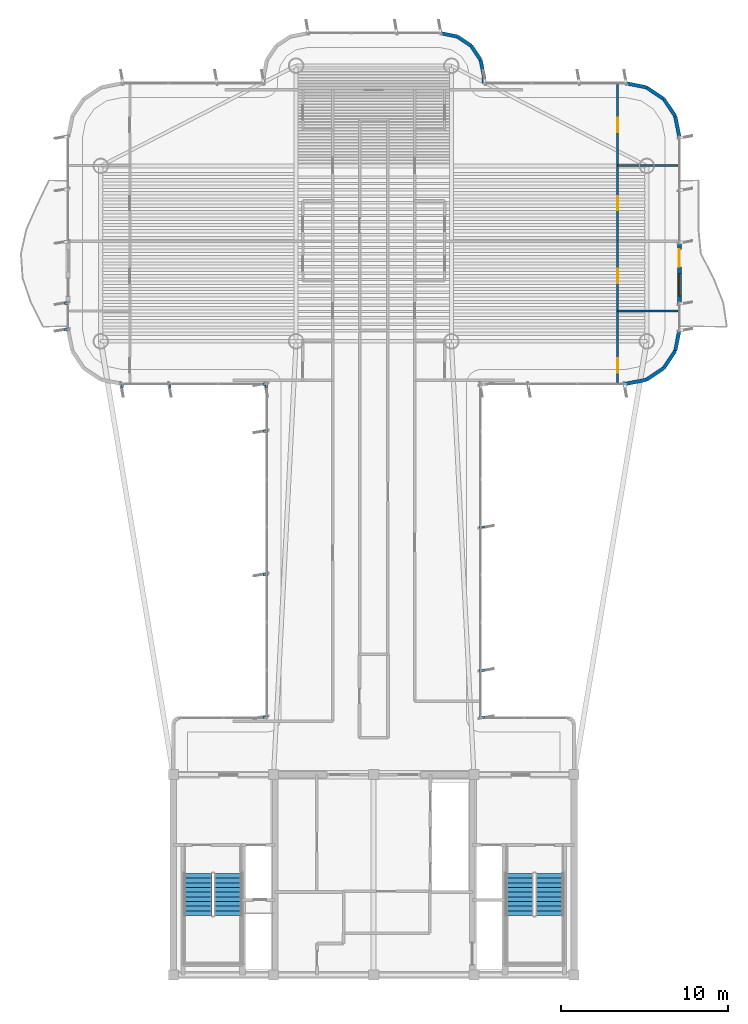
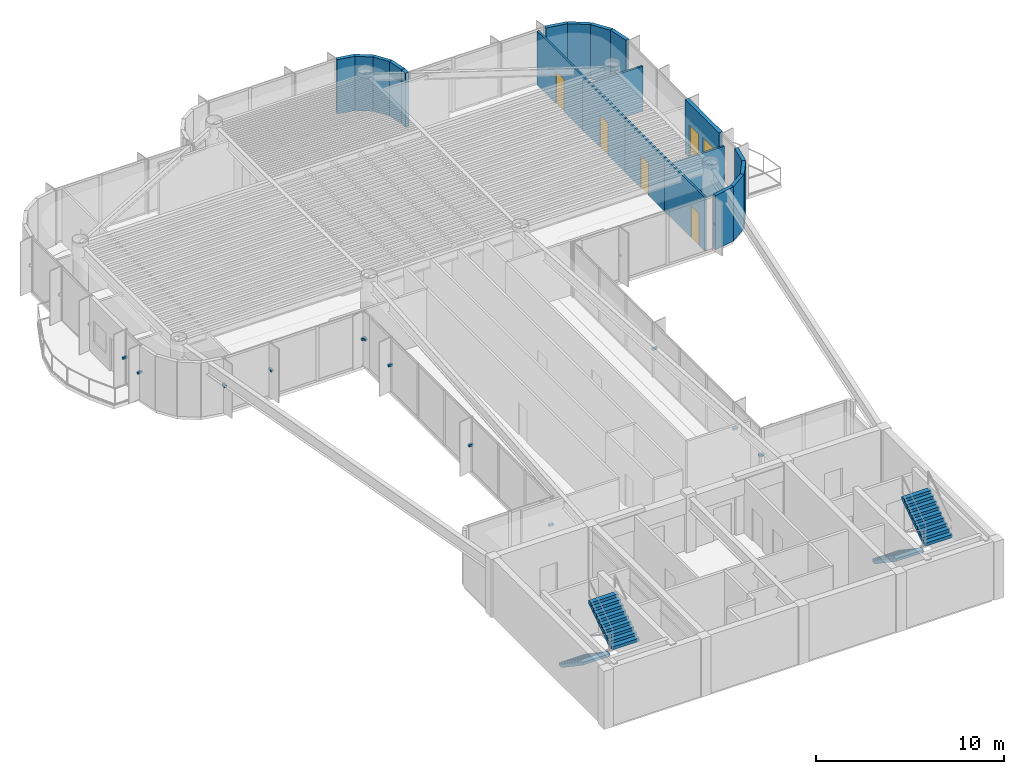
# One storey, part 13 of 16: 20 walls, 12 discrete accessories, 5 doors, 4 stair flights, 1 window, 6 openings, 2 elements without a shape of their own.
"""IFC4 building model written with IfcOpenShell, lengths in metres."""

from ifc_helpers import new_model, si_unit, direction, frame, frame_2d, origin, origin_2d, place, context, subcontext, project, spatial, polyline, rectangle, outline, extrude, source, transform, mapped, material, layer, layer_set, type_object, element, fill, aggregate, save


model = new_model("IFC4")

# Units and contexts
model_context = context("Model", 3, precision=1e-05, world=origin(), true_north=direction((0.0, 1.0)))
body_context = subcontext(model_context, "Body", "Model", "MODEL_VIEW")
ifc_project = project(units=[si_unit("LENGTHUNIT", "METRE"), si_unit("AREAUNIT", "SQUARE_METRE"), si_unit("VOLUMEUNIT", "CUBIC_METRE"), si_unit("PLANEANGLEUNIT", "RADIAN"), si_unit("MASSUNIT", "GRAM", prefix="KILO")], contexts=[model_context])

# Site, building, storey
site_placement = place(None, origin())
site = spatial("IfcSite", under=ifc_project, at=site_placement, CompositionType="ELEMENT")
building_placement = place(site_placement, origin())
building = spatial("IfcBuilding", under=site, at=building_placement, Name="Brelvock Crest Care Tower", CompositionType="ELEMENT")
storey_placement = place(building_placement, frame((0.0, 0.0, 226.800048828125)))
storey = spatial("IfcBuildingStorey", under=building, at=storey_placement, Name="L57", CompositionType="ELEMENT", Elevation=226.800048828125)

# Wall, openings, door, window
ifc_material_1 = material(Name="Precast concrete N40 (40 MPa)", Category="concrete")
ifc_layer_1 = layer(ifc_material_1, 0.239990234375, Name="WL-EX1")
ifc_layer_set_1 = layer_set([ifc_layer_1], Name="Precast concrete N40 (40 MPa)")
wall_type_1 = type_object("IfcWallType", Name="WL-EX1", PredefinedType="SOLIDWALL", material=ifc_layer_set_1)
wall_1_placement = place(storey_placement, frame((54.300048828125, 49.85009765625, 0.0), z_axis=(0.0, 0.0, 1.0), x_axis=(0.0, -1.0, 0.0)))
wall_1 = element("IfcWall", 1, at=wall_1_placement, inside=storey, type_object=wall_type_1, Name="L57 Exterior Spandrel Wall WL-BAL-L57-E", PredefinedType="SOLIDWALL", context=body_context, shape_type="SweptSolid", body=[
    extrude(rectangle(XDim=3.60009765625, YDim=0.239990234375, at=frame_2d((1.800048828125, 0.0))), origin(), (0.0, 0.0, 1.0), 3.530029296875),
])
opening_1_placement = place(wall_1_placement, frame((0.39990234375, 0.0, 0.0)))
opening_1 = element("IfcOpeningElement", 2, at=opening_1_placement, cuts=wall_1, Name="Opening BD-1", PredefinedType="OPENING", context=body_context, shape_type="SweptSolid", body=[
    extrude(rectangle(XDim=1.050048828125, YDim=2.14990234375, at=origin_2d()), frame((0.52490234375, 0.1298828125, 1.074951171875), z_axis=(0.0, -1.0, 0.0), x_axis=(1.0, 0.0, 0.0)), (0.0, 0.0, 1.0), 0.260009765625),
])
opening_2_placement = place(wall_1_placement, frame((1.85009765625, 0.0, 0.85009765625)))
opening_2 = element("IfcOpeningElement", 3, at=opening_2_placement, cuts=wall_1, Name="Opening W-01", PredefinedType="OPENING", context=body_context, shape_type="SweptSolid", body=[
    extrude(rectangle(XDim=1.35009765625, YDim=1.35009765625, at=origin_2d()), frame((0.675048828125, 0.1298828125, 0.675048828125), z_axis=(0.0, -1.0, 0.0), x_axis=(1.0, 0.0, 0.0)), (0.0, 0.0, 1.0), 0.260009765625),
])
ifc_material_2 = material(Name="Dark Glass Double Glazed Low-E", Category="glass")
door_type_1 = type_object("IfcDoorType", Name="DR-BAL1", OperationType="NOTDEFINED", PredefinedType="DOOR", material=ifc_material_2)
shared_shape_1 = source(origin(), body_context, "Body", "SweptSolid", [
    extrude(rectangle(XDim=1.050048828125, YDim=2.14990234375, at=origin_2d()), frame((0.52490234375, 0.02490234375, 1.074951171875), z_axis=(0.0, -1.0, 0.0), x_axis=(1.0, 0.0, 0.0)), (0.0, 0.0, 1.0), 0.050048828125),
])
door_1_placement = place(opening_1_placement, origin())
door_1 = element("IfcDoor", 4, at=door_1_placement, inside=storey, type_object=door_type_1, Name="L57 E Wave Balcony Glazed Door", OperationType="SINGLE_SWING_RIGHT", OverallHeight=2.14990234375, OverallWidth=1.050048828125, PredefinedType="DOOR", context=body_context, shape_type="MappedRepresentation", body=[
    mapped(shared_shape_1, transform((0.0, 0.0, 0.0), x_axis=(1.0, 0.0, 0.0), y_axis=(0.0, 1.0, 0.0), z_axis=(0.0, 0.0, 1.0), scale=1.0)),
])
fill(opening_1, door_1)
window_type = type_object("IfcWindowType", Name="WN-EX1", PartitioningType="SINGLE_PANEL", PredefinedType="WINDOW", material=ifc_material_2)
shared_shape_2 = source(origin(), body_context, "Body", "SweptSolid", [
    extrude(rectangle(XDim=1.35009765625, YDim=1.35009765625, at=origin_2d()), frame((0.675048828125, 0.030029296875, 0.675048828125), z_axis=(0.0, -1.0, 0.0), x_axis=(1.0, 0.0, 0.0)), (0.0, 0.0, 1.0), 0.06005859375),
])
window_placement = place(opening_2_placement, origin())
window = element("IfcWindow", 5, at=window_placement, inside=storey, type_object=window_type, Name="L57 E Suite Casement Window", OverallHeight=1.35009765625, OverallWidth=1.35009765625, PartitioningType="SINGLE_PANEL", PredefinedType="WINDOW", context=body_context, shape_type="MappedRepresentation", body=[
    mapped(shared_shape_2, transform((0.0, 0.0, 0.0), x_axis=(1.0, 0.0, 0.0), y_axis=(0.0, 1.0, 0.0), z_axis=(0.0, 0.0, 1.0), scale=1.0)),
])
fill(opening_2, window)

# Walls
ifc_layer_2 = layer(ifc_material_1, 0.215087890625, Name="WL-EX2")
ifc_layer_set_2 = layer_set([ifc_layer_2], Name="Precast concrete N40 (40 MPa)")
wall_type_2 = type_object("IfcWallType", Name="WL-EX2", PredefinedType="SOLIDWALL", material=ifc_layer_set_2)
wall_2_placement = place(storey_placement, frame((40.0, 62.39990234375, 0.0), z_axis=(0.0, 0.0, 1.0), x_axis=(0.980820570666, -0.194912821943, 0.0)))
element("IfcWall", 6, at=wall_2_placement, inside=storey, type_object=wall_type_2, Name="L57 Rounded Corner Wall 29", PredefinedType="SOLIDWALL", context=body_context, shape_type="SweptSolid", body=[
    extrude(rectangle(XDim=1.0146484375, YDim=0.215087890625, at=frame_2d((0.50732421875, 0.0))), origin(), (0.0, 0.0, 1.0), 3.530029296875),
])
wall_3_placement = place(storey_placement, frame((40.9951171875, 62.2021484375, 0.0), z_axis=(0.0, 0.0, 1.0), x_axis=(0.831346067305, -0.555755086685, 0.0)))
element("IfcWall", 7, at=wall_3_placement, inside=storey, type_object=wall_type_2, Name="L57 Rounded Corner Wall 30", PredefinedType="SOLIDWALL", context=body_context, shape_type="SweptSolid", body=[
    extrude(rectangle(XDim=1.014404296875, YDim=0.215087890625, at=frame_2d((0.50732421875, 0.0))), origin(), (0.0, 0.0, 1.0), 3.530029296875),
])
wall_4_placement = place(storey_placement, frame((41.83837890625, 61.638427734375, 0.0), z_axis=(0.0, 0.0, 1.0), x_axis=(0.555643898837, -0.831420385657, 0.0)))
element("IfcWall", 8, at=wall_4_placement, inside=storey, type_object=wall_type_2, Name="L57 Rounded Corner Wall 31", PredefinedType="SOLIDWALL", context=body_context, shape_type="SweptSolid", body=[
    extrude(rectangle(XDim=1.0146484375, YDim=0.215087890625, at=frame_2d((0.50732421875, 0.0))), origin(), (0.0, 0.0, 1.0), 3.530029296875),
])
wall_5_placement = place(storey_placement, frame((42.402099609375, 60.794921875, 0.0), z_axis=(0.0, 0.0, 1.0), x_axis=(0.195190360752, -0.980765376158, 0.0)))
element("IfcWall", 9, at=wall_5_placement, inside=storey, type_object=wall_type_2, Name="L57 Rounded Corner Wall 32", PredefinedType="SOLIDWALL", context=body_context, shape_type="SweptSolid", body=[
    extrude(rectangle(XDim=1.014404296875, YDim=0.215087890625, at=frame_2d((0.50732421875, 0.0))), origin(), (0.0, 0.0, 1.0), 3.530029296875),
])
wall_6_placement = place(storey_placement, frame((42.60009765625, 59.800048828125, 0.0), z_axis=(0.0, 0.0, 1.0), x_axis=(0.0, -1.0, 0.0)))
element("IfcWall", 10, at=wall_6_placement, inside=storey, type_object=wall_type_2, Name="L57 Rounded Corner Wall 33", PredefinedType="SOLIDWALL", context=body_context, shape_type="SweptSolid", body=[
    extrude(rectangle(XDim=0.400146484375, YDim=0.215087890625, at=frame_2d((0.2001953125, 0.0))), origin(), (0.0, 0.0, 1.0), 3.530029296875),
])
for number, where, z_axis, x_axis, name in (
    (11, (51.10009765625, 59.39990234375, 0.0), (0.0, 0.0, 1.0), (0.980813122964, -0.194950295773, 0.0), "L57 Rounded Corner Wall 35"),
    (12, (52.32470703125, 59.156494140625, 0.0), (0.0, 0.0, 1.0), (0.831387912822, -0.555692485475, 0.0), "L57 Rounded Corner Wall 36"),
    (13, (53.36279296875, 58.462646484375, 0.0), (0.0, 0.0, 1.0), (0.555557312883, -0.831478245117, 0.0), "L57 Rounded Corner Wall 37"),
    (14, (54.056396484375, 57.424560546875, 0.0), (0.0, 0.0, 1.0), (0.195138390419, -0.980775717779, 0.0), "L57 Rounded Corner Wall 38"),
    (15, (54.300048828125, 44.60009765625, 0.0), (0.0, 0.0, 1.0), (-0.195138390419, -0.980775717779, 0.0), "L57 Rounded Corner Wall 40"),
    (16, (54.056396484375, 43.37548828125, 0.0), (0.0, 0.0, 1.0), (-0.555557312883, -0.831478245117, 0.0), "L57 Rounded Corner Wall 41"),
    (17, (53.36279296875, 42.33740234375, 0.0), (0.0, 0.0, 1.0), (-0.831387912822, -0.555692485475, 0.0), "L57 Rounded Corner Wall 42"),
    (18, (52.32470703125, 41.6435546875, 0.0), (0.0, 0.0, 1.0), (-0.980775717779, -0.195138390419, 0.0), "L57 Rounded Corner Wall 43"),
):
    element("IfcWall", number, at=place(storey_placement, frame(where, z_axis=z_axis, x_axis=x_axis)), inside=storey, type_object=wall_type_2, Name=name, PredefinedType="SOLIDWALL", context=body_context, shape_type="SweptSolid", body=[
        extrude(rectangle(XDim=1.24853515625, YDim=0.215087890625, at=frame_2d((0.624267578125, 0.0))), origin(), (0.0, 0.0, 1.0), 3.530029296875),
    ])
ifc_material_3 = material(Name="Gypsum Plasterboard Partition", Category="gypsum")
ifc_layer_3 = layer(ifc_material_3, 0.1201171875, Name="WL-INT2")
ifc_layer_set_3 = layer_set([ifc_layer_3], Name="Gypsum Plasterboard Partition")
wall_type_3 = type_object("IfcWallType", Name="WL-INT2", PredefinedType="PARTITIONING", material=ifc_layer_set_3)
wall_7_placement = place(storey_placement, frame((50.610107421875, 45.77587890625, 0.0), z_axis=(0.0, 0.0, 1.0), x_axis=(1.0, 0.0, 0.0)))
element("IfcWall", 19, at=wall_7_placement, inside=storey, type_object=wall_type_3, Name="L57 Interior Wall WL-UBSP-L57-EF1", PredefinedType="PARTITIONING", context=body_context, shape_type="SweptSolid", body=[
    extrude(rectangle(XDim=3.60986328125, YDim=0.1201171875, at=frame_2d((1.804931640625, 0.0))), origin(), (0.0, 0.0, 1.0), 2.98193359375),
])
wall_8_placement = place(storey_placement, frame((50.610107421875, 54.47607421875, 0.0), z_axis=(0.0, 0.0, 1.0), x_axis=(1.0, 0.0, 0.0)))
element("IfcWall", 20, at=wall_8_placement, inside=storey, type_object=wall_type_3, Name="L57 Interior Wall WL-UBSP-L57-EF2", PredefinedType="PARTITIONING", context=body_context, shape_type="SweptSolid", body=[
    extrude(rectangle(XDim=3.60986328125, YDim=0.1201171875, at=frame_2d((1.804931640625, 0.0))), origin(), (0.0, 0.0, 1.0), 2.90283203125),
])

# Wall, opening, door
wall_9_placement = place(storey_placement, frame((50.610107421875, 41.47998046875, 0.0), z_axis=(0.0, 0.0, 1.0), x_axis=(0.0, 1.0, 0.0)))
wall_9 = element("IfcWall", 21, at=wall_9_placement, inside=storey, type_object=wall_type_3, Name="L57 Interior Wall WL-UBD1-L57-EF1", PredefinedType="PARTITIONING", context=body_context, shape_type="SweptSolid", body=[
    extrude(rectangle(XDim=4.2958984375, YDim=0.1201171875, at=frame_2d((2.14794921875, 0.0))), origin(), (0.0, 0.0, 1.0), 3.5),
])
opening_3_placement = place(wall_9_placement, frame((0.597900390625, 0.0, 0.0)))
opening_3 = element("IfcOpeningElement", 22, at=opening_3_placement, cuts=wall_9, Name="Opening ID-1", PredefinedType="OPENING", context=body_context, shape_type="SweptSolid", body=[
    extrude(rectangle(XDim=0.860107421875, YDim=2.10009765625, at=origin_2d()), frame((0.43017578125, 0.070068359375, 1.050048828125), z_axis=(0.0, -1.0, 0.0), x_axis=(1.0, 0.0, 0.0)), (0.0, 0.0, 1.0), 0.14013671875),
])
ifc_material_4 = material(Name="Engineered Hardwood Timber", Category="wood")
door_type_2 = type_object("IfcDoorType", Name="DR-INT1", OperationType="NOTDEFINED", PredefinedType="DOOR", material=ifc_material_4)
shared_shape_3 = source(origin(), body_context, "Body", "SweptSolid", [
    extrude(rectangle(XDim=0.860107421875, YDim=2.10009765625, at=origin_2d()), frame((0.43017578125, 0.02490234375, 1.050048828125), z_axis=(0.0, -1.0, 0.0), x_axis=(1.0, 0.0, 0.0)), (0.0, 0.0, 1.0), 0.050048828125),
])
door_2_placement = place(opening_3_placement, origin())
door_2 = element("IfcDoor", 23, at=door_2_placement, inside=storey, type_object=door_type_2, Name="L57 Primary Bedroom Door EF1", OperationType="SINGLE_SWING_RIGHT", OverallHeight=2.10009765625, OverallWidth=0.860107421875, PredefinedType="DOOR", context=body_context, shape_type="MappedRepresentation", body=[
    mapped(shared_shape_3, transform((0.0, 0.0, 0.0), x_axis=(1.0, 0.0, 0.0), y_axis=(0.0, 1.0, 0.0), z_axis=(0.0, 0.0, 1.0), scale=1.0)),
])
fill(opening_3, door_2)

wall_10_placement = place(storey_placement, frame((50.610107421875, 45.77587890625, 0.0), z_axis=(0.0, 0.0, 1.0), x_axis=(0.0, 1.0, 0.0)))
wall_10 = element("IfcWall", 24, at=wall_10_placement, inside=storey, type_object=wall_type_3, Name="L57 Interior Wall WL-UBD2-L57-EF1", PredefinedType="PARTITIONING", context=body_context, shape_type="SweptSolid", body=[
    extrude(rectangle(XDim=4.176025390625, YDim=0.1201171875, at=frame_2d((2.087890625, 0.0))), origin(), (0.0, 0.0, 1.0), 3.5),
])
opening_4_placement = place(wall_10_placement, frame((1.657958984375, 0.0, 0.0)))
opening_4 = element("IfcOpeningElement", 25, at=opening_4_placement, cuts=wall_10, Name="Opening ID-1", PredefinedType="OPENING", context=body_context, shape_type="SweptSolid", body=[
    extrude(rectangle(XDim=0.860107421875, YDim=2.10009765625, at=origin_2d()), frame((0.43017578125, 0.070068359375, 1.050048828125), z_axis=(0.0, -1.0, 0.0), x_axis=(1.0, 0.0, 0.0)), (0.0, 0.0, 1.0), 0.14013671875),
])
door_3_placement = place(opening_4_placement, origin())
door_3 = element("IfcDoor", 26, at=door_3_placement, inside=storey, type_object=door_type_2, Name="L57 Second Room Door EF1", OperationType="SINGLE_SWING_LEFT", OverallHeight=2.10009765625, OverallWidth=0.860107421875, PredefinedType="DOOR", context=body_context, shape_type="MappedRepresentation", body=[
    mapped(shared_shape_3, transform((0.0, 0.0, 0.0), x_axis=(1.0, 0.0, 0.0), y_axis=(0.0, 1.0, 0.0), z_axis=(0.0, 0.0, 1.0), scale=1.0)),
])
fill(opening_4, door_3)

wall_11_placement = place(storey_placement, frame((50.610107421875, 49.951904296875, 0.0), z_axis=(0.0, 0.0, 1.0), x_axis=(0.0, 1.0, 0.0)))
wall_11 = element("IfcWall", 27, at=wall_11_placement, inside=storey, type_object=wall_type_3, Name="L57 Interior Wall WL-UBD1-L57-EF2", PredefinedType="PARTITIONING", context=body_context, shape_type="SweptSolid", body=[
    extrude(rectangle(XDim=4.524169921875, YDim=0.1201171875, at=frame_2d((2.26220703125, 0.0))), origin(), (0.0, 0.0, 1.0), 3.5),
])
opening_5_placement = place(wall_11_placement, frame((1.83203125, 0.0, 0.0)))
opening_5 = element("IfcOpeningElement", 28, at=opening_5_placement, cuts=wall_11, Name="Opening ID-1", PredefinedType="OPENING", context=body_context, shape_type="SweptSolid", body=[
    extrude(rectangle(XDim=0.860107421875, YDim=2.10009765625, at=origin_2d()), frame((0.43017578125, 0.070068359375, 1.050048828125), z_axis=(0.0, -1.0, 0.0), x_axis=(1.0, 0.0, 0.0)), (0.0, 0.0, 1.0), 0.14013671875),
])
door_4_placement = place(opening_5_placement, origin())
door_4 = element("IfcDoor", 29, at=door_4_placement, inside=storey, type_object=door_type_2, Name="L57 Primary Bedroom Door EF2", OperationType="SINGLE_SWING_RIGHT", OverallHeight=2.10009765625, OverallWidth=0.860107421875, PredefinedType="DOOR", context=body_context, shape_type="MappedRepresentation", body=[
    mapped(shared_shape_3, transform((0.0, 0.0, 0.0), x_axis=(1.0, 0.0, 0.0), y_axis=(0.0, 1.0, 0.0), z_axis=(0.0, 0.0, 1.0), scale=1.0)),
])
fill(opening_5, door_4)

wall_12_placement = place(storey_placement, frame((50.610107421875, 54.47607421875, 0.0), z_axis=(0.0, 0.0, 1.0), x_axis=(0.0, 1.0, 0.0)))
wall_12 = element("IfcWall", 30, at=wall_12_placement, inside=storey, type_object=wall_type_3, Name="L57 Interior Wall WL-UBD2-L57-EF2", PredefinedType="PARTITIONING", context=body_context, shape_type="SweptSolid", body=[
    extrude(rectangle(XDim=4.84423828125, YDim=0.1201171875, at=frame_2d((2.422119140625, 0.0))), origin(), (0.0, 0.0, 1.0), 3.5),
])
opening_6_placement = place(wall_12_placement, frame((1.991943359375, 0.0, 0.0)))
opening_6 = element("IfcOpeningElement", 31, at=opening_6_placement, cuts=wall_12, Name="Opening ID-1", PredefinedType="OPENING", context=body_context, shape_type="SweptSolid", body=[
    extrude(rectangle(XDim=0.860107421875, YDim=2.10009765625, at=origin_2d()), frame((0.43017578125, 0.070068359375, 1.050048828125), z_axis=(0.0, -1.0, 0.0), x_axis=(1.0, 0.0, 0.0)), (0.0, 0.0, 1.0), 0.14013671875),
])
door_5_placement = place(opening_6_placement, origin())
door_5 = element("IfcDoor", 32, at=door_5_placement, inside=storey, type_object=door_type_2, Name="L57 Second Room Door EF2", OperationType="SINGLE_SWING_LEFT", OverallHeight=2.10009765625, OverallWidth=0.860107421875, PredefinedType="DOOR", context=body_context, shape_type="MappedRepresentation", body=[
    mapped(shared_shape_3, transform((0.0, 0.0, 0.0), x_axis=(1.0, 0.0, 0.0), y_axis=(0.0, 1.0, 0.0), z_axis=(0.0, 0.0, 1.0), scale=1.0)),
])
fill(opening_6, door_5)

# Stair, stair flights
ifc_material_5 = material(Name="Concrete N40 (40 MPa)", Category="concrete")
stair_type = type_object("IfcStairType", Name="ST-CORE1", PredefinedType="HALF_TURN_STAIR", material=ifc_material_5)
stair_1_placement = place(storey_placement, origin())
stair_1 = element("IfcStair", 33, at=stair_1_placement, inside=storey, type_object=stair_type, Name="L57 Fire-Isolated Core Stair ST-1", PredefinedType="HALF_TURN_STAIR")
stair_flight_type = type_object("IfcStairFlightType", Name="STF-1", PredefinedType="STRAIGHT", material=ifc_material_5)
stair_flight_1_placement = place(storey_placement, frame((25.469970703125, 12.080078125, 0.0), z_axis=(0.0, 0.0, 1.0), x_axis=(0.0, -1.0, 0.0)))
stair_flight_1 = element("IfcStairFlight", 34, at=stair_flight_1_placement, type_object=stair_flight_type, Name="ST-1 flight 1", NumberOfRisers=10, NumberOfTreads=9, PredefinedType="STRAIGHT", RiserHeight=0.189, TreadLength=0.28, context=body_context, shape_type="SweptSolid", body=[
    extrude(outline(polyline([(-0.00390625, -0.014892578125), (-0.00390625, -0.0078125), (-0.00390625, -0.00048828125), (-0.00390625, 0.0068359375), (-0.00390625, 0.01416015625), (-0.00390625, 0.021484375), (-0.00390625, 0.02880859375), (-0.00390625, 0.035888671875), (-0.00390625, 0.043212890625), (-0.00390625, 0.050537109375), (-0.00390625, 0.057861328125), (-0.00390625, 0.065185546875), (-0.00390625, 0.072509765625), (-0.00390625, 0.07958984375), (-0.00390625, 0.0869140625), (-0.00390625, 0.09423828125), (-0.00390625, 0.1015625), (-0.00390625, 0.10888671875), (-0.00390625, 0.1162109375), (-0.00390625, 0.12353515625), (-0.00390625, 0.130615234375), (-0.00390625, 0.137939453125), (-0.00390625, 0.145263671875), (-0.00390625, 0.152587890625), (-0.00390625, 0.159912109375), (-0.00390625, 0.167236328125), (-0.00390625, 0.17431640625), (-0.00390625, 0.181640625), (-0.00390625, 0.18896484375), (0.0, 0.18896484375), (0.280029296875, 0.18896484375), (0.280029296875, 0.3779296875), (0.56005859375, 0.3779296875), (0.56005859375, 0.56689453125), (0.840087890625, 0.56689453125), (0.840087890625, 0.756103515625), (1.1201171875, 0.756103515625), (1.1201171875, 0.945068359375), (1.39990234375, 0.945068359375), (1.39990234375, 1.134033203125), (1.679931640625, 1.134033203125), (1.679931640625, 1.322998046875), (1.9599609375, 1.322998046875), (1.9599609375, 1.511962890625), (2.239990234375, 1.511962890625), (2.239990234375, 1.700927734375), (2.52001953125, 1.700927734375), (2.52392578125, 1.700927734375), (2.523681640625, 1.70068359375), (2.52392578125, 1.700439453125), (2.523681640625, 1.699951171875), (2.52392578125, 1.69970703125), (2.523681640625, 1.699462890625), (2.52392578125, 1.698974609375), (2.523681640625, 1.69873046875), (2.52392578125, 1.698486328125), (2.523681640625, 1.697998046875), (2.52392578125, 1.69775390625), (2.523681640625, 1.697509765625), (2.52392578125, 1.697021484375), (2.523681640625, 1.69677734375), (2.52392578125, 1.696533203125), (2.523681640625, 1.6962890625), (2.52392578125, 1.69580078125), (2.523681640625, 1.695556640625), (2.52392578125, 1.6953125), (2.523681640625, 1.69482421875), (2.52392578125, 1.694580078125), (2.523681640625, 1.6943359375), (2.52392578125, 1.69384765625), (2.523681640625, 1.693603515625), (2.52392578125, 1.693359375), (2.523681640625, 1.69287109375), (2.52392578125, 1.692626953125), (2.523681640625, 1.6923828125), (2.52392578125, 1.69189453125), (2.52001953125, 1.520263671875), (0.267822265625, 0.0), (0.0, 0.0), (0.0, -0.014892578125), (-0.00390625, -0.014892578125)])), frame((0.0, 0.83984375, 0.0), z_axis=(0.0, -1.0, 0.0), x_axis=(1.0, 0.0, 0.0)), (0.0, 0.0, 1.0), 1.679931640625),
])
stair_flight_2_placement = place(storey_placement, frame((27.27001953125, 9.56005859375, 1.889892578125), z_axis=(0.0, 0.0, 1.0), x_axis=(0.0, 1.0, 0.0)))
stair_flight_2 = element("IfcStairFlight", 35, at=stair_flight_2_placement, type_object=stair_flight_type, Name="ST-1 flight 2", NumberOfRisers=10, NumberOfTreads=9, PredefinedType="STRAIGHT", RiserHeight=0.189, TreadLength=0.28, context=body_context, shape_type="SweptSolid", body=[
    extrude(outline(polyline([(-0.00390625, -0.014892578125), (-0.00390625, -0.0078125), (-0.00390625, -0.00048828125), (-0.00390625, 0.0068359375), (-0.00390625, 0.01416015625), (-0.00390625, 0.021484375), (-0.00390625, 0.02880859375), (-0.00390625, 0.035888671875), (-0.00390625, 0.043212890625), (-0.00390625, 0.050537109375), (-0.00390625, 0.057861328125), (-0.00390625, 0.065185546875), (-0.00390625, 0.072509765625), (-0.00390625, 0.07958984375), (-0.00390625, 0.0869140625), (-0.00390625, 0.09423828125), (-0.00390625, 0.1015625), (-0.00390625, 0.10888671875), (-0.00390625, 0.1162109375), (-0.00390625, 0.12353515625), (-0.00390625, 0.130615234375), (-0.00390625, 0.137939453125), (-0.00390625, 0.145263671875), (-0.00390625, 0.152587890625), (-0.00390625, 0.159912109375), (-0.00390625, 0.167236328125), (-0.00390625, 0.17431640625), (-0.00390625, 0.181640625), (-0.00390625, 0.18896484375), (0.0, 0.18896484375), (0.280029296875, 0.18896484375), (0.280029296875, 0.3779296875), (0.56005859375, 0.3779296875), (0.56005859375, 0.56689453125), (0.840087890625, 0.56689453125), (0.840087890625, 0.756103515625), (1.1201171875, 0.756103515625), (1.1201171875, 0.945068359375), (1.39990234375, 0.945068359375), (1.39990234375, 1.134033203125), (1.679931640625, 1.134033203125), (1.679931640625, 1.322998046875), (1.9599609375, 1.322998046875), (1.9599609375, 1.511962890625), (2.239990234375, 1.511962890625), (2.239990234375, 1.700927734375), (2.52001953125, 1.700927734375), (2.52392578125, 1.700927734375), (2.523681640625, 1.70068359375), (2.52392578125, 1.700439453125), (2.523681640625, 1.699951171875), (2.52392578125, 1.69970703125), (2.523681640625, 1.699462890625), (2.52392578125, 1.698974609375), (2.523681640625, 1.69873046875), (2.52392578125, 1.698486328125), (2.523681640625, 1.697998046875), (2.52392578125, 1.69775390625), (2.523681640625, 1.697509765625), (2.52392578125, 1.697021484375), (2.523681640625, 1.69677734375), (2.52392578125, 1.696533203125), (2.523681640625, 1.6962890625), (2.52392578125, 1.69580078125), (2.523681640625, 1.695556640625), (2.52392578125, 1.6953125), (2.523681640625, 1.69482421875), (2.52392578125, 1.694580078125), (2.523681640625, 1.6943359375), (2.52392578125, 1.69384765625), (2.523681640625, 1.693603515625), (2.52392578125, 1.693359375), (2.523681640625, 1.69287109375), (2.52392578125, 1.692626953125), (2.523681640625, 1.6923828125), (2.52392578125, 1.69189453125), (2.52001953125, 1.520263671875), (0.267822265625, 0.0), (0.0, 0.0), (0.0, -0.014892578125), (-0.00390625, -0.014892578125)])), frame((0.0, 0.83984375, 0.0), z_axis=(0.0, -1.0, 0.0), x_axis=(1.0, 0.0, 0.0)), (0.0, 0.0, 1.0), 1.679931640625),
])
aggregate(stair_1, [stair_flight_1, stair_flight_2])

stair_2_placement = place(storey_placement, origin())
stair_2 = element("IfcStair", 36, at=stair_2_placement, inside=storey, type_object=stair_type, Name="L57 Fire-Isolated Core Stair ST-2", PredefinedType="HALF_TURN_STAIR")
stair_flight_3_placement = place(storey_placement, frame((44.72998046875, 12.080078125, 0.0), z_axis=(0.0, 0.0, 1.0), x_axis=(0.0, -1.0, 0.0)))
stair_flight_3 = element("IfcStairFlight", 37, at=stair_flight_3_placement, type_object=stair_flight_type, Name="ST-2 flight 1", NumberOfRisers=10, NumberOfTreads=9, PredefinedType="STRAIGHT", RiserHeight=0.189, TreadLength=0.28, context=body_context, shape_type="SweptSolid", body=[
    extrude(outline(polyline([(-0.00390625, -0.014892578125), (-0.00390625, -0.0078125), (-0.00390625, -0.00048828125), (-0.00390625, 0.0068359375), (-0.00390625, 0.01416015625), (-0.00390625, 0.021484375), (-0.00390625, 0.02880859375), (-0.00390625, 0.035888671875), (-0.00390625, 0.043212890625), (-0.00390625, 0.050537109375), (-0.00390625, 0.057861328125), (-0.00390625, 0.065185546875), (-0.00390625, 0.072509765625), (-0.00390625, 0.07958984375), (-0.00390625, 0.0869140625), (-0.00390625, 0.09423828125), (-0.00390625, 0.1015625), (-0.00390625, 0.10888671875), (-0.00390625, 0.1162109375), (-0.00390625, 0.12353515625), (-0.00390625, 0.130615234375), (-0.00390625, 0.137939453125), (-0.00390625, 0.145263671875), (-0.00390625, 0.152587890625), (-0.00390625, 0.159912109375), (-0.00390625, 0.167236328125), (-0.00390625, 0.17431640625), (-0.00390625, 0.181640625), (-0.00390625, 0.18896484375), (0.0, 0.18896484375), (0.280029296875, 0.18896484375), (0.280029296875, 0.3779296875), (0.56005859375, 0.3779296875), (0.56005859375, 0.56689453125), (0.840087890625, 0.56689453125), (0.840087890625, 0.756103515625), (1.1201171875, 0.756103515625), (1.1201171875, 0.945068359375), (1.39990234375, 0.945068359375), (1.39990234375, 1.134033203125), (1.679931640625, 1.134033203125), (1.679931640625, 1.322998046875), (1.9599609375, 1.322998046875), (1.9599609375, 1.511962890625), (2.239990234375, 1.511962890625), (2.239990234375, 1.700927734375), (2.52001953125, 1.700927734375), (2.52392578125, 1.700927734375), (2.523681640625, 1.70068359375), (2.52392578125, 1.700439453125), (2.523681640625, 1.699951171875), (2.52392578125, 1.69970703125), (2.523681640625, 1.699462890625), (2.52392578125, 1.698974609375), (2.523681640625, 1.69873046875), (2.52392578125, 1.698486328125), (2.523681640625, 1.697998046875), (2.52392578125, 1.69775390625), (2.523681640625, 1.697509765625), (2.52392578125, 1.697021484375), (2.523681640625, 1.69677734375), (2.52392578125, 1.696533203125), (2.523681640625, 1.6962890625), (2.52392578125, 1.69580078125), (2.523681640625, 1.695556640625), (2.52392578125, 1.6953125), (2.523681640625, 1.69482421875), (2.52392578125, 1.694580078125), (2.523681640625, 1.6943359375), (2.52392578125, 1.69384765625), (2.523681640625, 1.693603515625), (2.52392578125, 1.693359375), (2.523681640625, 1.69287109375), (2.52392578125, 1.692626953125), (2.523681640625, 1.6923828125), (2.52392578125, 1.69189453125), (2.52001953125, 1.520263671875), (0.267822265625, 0.0), (0.0, 0.0), (0.0, -0.014892578125), (-0.00390625, -0.014892578125)])), frame((0.0, 0.83984375, 0.0), z_axis=(0.0, -1.0, 0.0), x_axis=(1.0, 0.0, 0.0)), (0.0, 0.0, 1.0), 1.679931640625),
])
stair_flight_4_placement = place(storey_placement, frame((46.530029296875, 9.56005859375, 1.889892578125), z_axis=(0.0, 0.0, 1.0), x_axis=(0.0, 1.0, 0.0)))
stair_flight_4 = element("IfcStairFlight", 38, at=stair_flight_4_placement, type_object=stair_flight_type, Name="ST-2 flight 2", NumberOfRisers=10, NumberOfTreads=9, PredefinedType="STRAIGHT", RiserHeight=0.189, TreadLength=0.28, context=body_context, shape_type="SweptSolid", body=[
    extrude(outline(polyline([(-0.00390625, -0.014892578125), (-0.00390625, -0.0078125), (-0.00390625, -0.00048828125), (-0.00390625, 0.0068359375), (-0.00390625, 0.01416015625), (-0.00390625, 0.021484375), (-0.00390625, 0.02880859375), (-0.00390625, 0.035888671875), (-0.00390625, 0.043212890625), (-0.00390625, 0.050537109375), (-0.00390625, 0.057861328125), (-0.00390625, 0.065185546875), (-0.00390625, 0.072509765625), (-0.00390625, 0.07958984375), (-0.00390625, 0.0869140625), (-0.00390625, 0.09423828125), (-0.00390625, 0.1015625), (-0.00390625, 0.10888671875), (-0.00390625, 0.1162109375), (-0.00390625, 0.12353515625), (-0.00390625, 0.130615234375), (-0.00390625, 0.137939453125), (-0.00390625, 0.145263671875), (-0.00390625, 0.152587890625), (-0.00390625, 0.159912109375), (-0.00390625, 0.167236328125), (-0.00390625, 0.17431640625), (-0.00390625, 0.181640625), (-0.00390625, 0.18896484375), (0.0, 0.18896484375), (0.280029296875, 0.18896484375), (0.280029296875, 0.3779296875), (0.56005859375, 0.3779296875), (0.56005859375, 0.56689453125), (0.840087890625, 0.56689453125), (0.840087890625, 0.756103515625), (1.1201171875, 0.756103515625), (1.1201171875, 0.945068359375), (1.39990234375, 0.945068359375), (1.39990234375, 1.134033203125), (1.679931640625, 1.134033203125), (1.679931640625, 1.322998046875), (1.9599609375, 1.322998046875), (1.9599609375, 1.511962890625), (2.239990234375, 1.511962890625), (2.239990234375, 1.700927734375), (2.52001953125, 1.700927734375), (2.52392578125, 1.700927734375), (2.523681640625, 1.70068359375), (2.52392578125, 1.700439453125), (2.523681640625, 1.699951171875), (2.52392578125, 1.69970703125), (2.523681640625, 1.699462890625), (2.52392578125, 1.698974609375), (2.523681640625, 1.69873046875), (2.52392578125, 1.698486328125), (2.523681640625, 1.697998046875), (2.52392578125, 1.69775390625), (2.523681640625, 1.697509765625), (2.52392578125, 1.697021484375), (2.523681640625, 1.69677734375), (2.52392578125, 1.696533203125), (2.523681640625, 1.6962890625), (2.52392578125, 1.69580078125), (2.523681640625, 1.695556640625), (2.52392578125, 1.6953125), (2.523681640625, 1.69482421875), (2.52392578125, 1.694580078125), (2.523681640625, 1.6943359375), (2.52392578125, 1.69384765625), (2.523681640625, 1.693603515625), (2.52392578125, 1.693359375), (2.523681640625, 1.69287109375), (2.52392578125, 1.692626953125), (2.523681640625, 1.6923828125), (2.52392578125, 1.69189453125), (2.52001953125, 1.520263671875), (0.267822265625, 0.0), (0.0, 0.0), (0.0, -0.014892578125), (-0.00390625, -0.014892578125)])), frame((0.0, 0.83984375, 0.0), z_axis=(0.0, -1.0, 0.0), x_axis=(1.0, 0.0, 0.0)), (0.0, 0.0, 1.0), 1.679931640625),
])
aggregate(stair_2, [stair_flight_3, stair_flight_4])

# Discrete accessories
ifc_material_6 = material(Name="Steel Grade 350", Category="steel")
discrete_accessory_type = type_object("IfcDiscreteAccessoryType", Name="ACC-BRK1", PredefinedType="BRACKET", material=ifc_material_6)
shared_shape_4 = source(origin(), body_context, "Body", "SweptSolid", [
    extrude(rectangle(XDim=0.280029296875, YDim=0.139892578125, at=origin_2d()), origin(), (0.0, 0.0, 1.0), 0.139892578125),
])
for number, where, z_axis, x_axis, name in (
    (39, (29.52001953125, 21.429931640625, 1.69482421875), (0.0, 0.0, 1.0), (-1.0, 0.0, 0.0), "L57 Facade Fin Bracket E11-01"),
    (40, (29.52001953125, 29.971435546875, 1.69482421875), (0.0, 0.0, 1.0), (-1.0, 0.0, 0.0), "L57 Facade Fin Bracket E11-04"),
    (41, (29.52001953125, 38.54296875, 1.69482421875), (0.0, 0.0, 1.0), (-1.0, 0.0, 0.0), "L57 Facade Fin Bracket E11-07"),
    (42, (29.52001953125, 41.3701171875, 1.69482421875), (0.0, 0.0, 1.0), (-1.0, 0.0, 0.0), "L57 Facade Fin Bracket E11-08"),
    (43, (29.570068359375, 41.320068359375, 1.69482421875), (0.0, 0.0, 1.0), (0.0, -1.0, 0.0), "L57 Facade Fin Bracket E12-01"),
    (44, (23.800048828125, 41.320068359375, 1.69482421875), (0.0, 0.0, 1.0), (0.0, -1.0, 0.0), "L57 Facade Fin Bracket E12-03"),
    (45, (20.929931640625, 41.320068359375, 1.69482421875), (0.0, 0.0, 1.0), (0.0, -1.0, 0.0), "L57 Facade Fin Bracket E12-04"),
    (46, (17.6201171875, 44.6298828125, 1.69482421875), (0.0, 0.0, 1.0), (-1.0, 0.0, 0.0), "L57 Facade Fin Bracket E17A-01"),
    (47, (17.6201171875, 46.219970703125, 1.69482421875), (0.0, 0.0, 1.0), (-1.0, 0.0, 0.0), "L57 Facade Fin Bracket E17A-02"),
    (48, (42.47998046875, 32.82861328125, 1.69482421875), (0.0, 0.0, 1.0), (1.0, 0.0, 0.0), "L57 Facade Fin Bracket E45-04"),
    (49, (42.47998046875, 24.257080078125, 1.69482421875), (0.0, 0.0, 1.0), (1.0, 0.0, 0.0), "L57 Facade Fin Bracket E45-07"),
    (50, (42.47998046875, 21.429931640625, 1.69482421875), (0.0, 0.0, 1.0), (1.0, 0.0, 0.0), "L57 Facade Fin Bracket E45-08"),
):
    element("IfcDiscreteAccessory", number, at=place(storey_placement, frame(where, z_axis=z_axis, x_axis=x_axis)), inside=storey, type_object=discrete_accessory_type, Name=name, PredefinedType="BRACKET", context=body_context, shape_type="MappedRepresentation", body=[
        mapped(shared_shape_4, transform((0.0, 0.0, 0.0), x_axis=(1.0, 0.0, 0.0), y_axis=(0.0, 1.0, 0.0), z_axis=(0.0, 0.0, 1.0), scale=1.0)),
    ])

save(model, "model.ifc")
